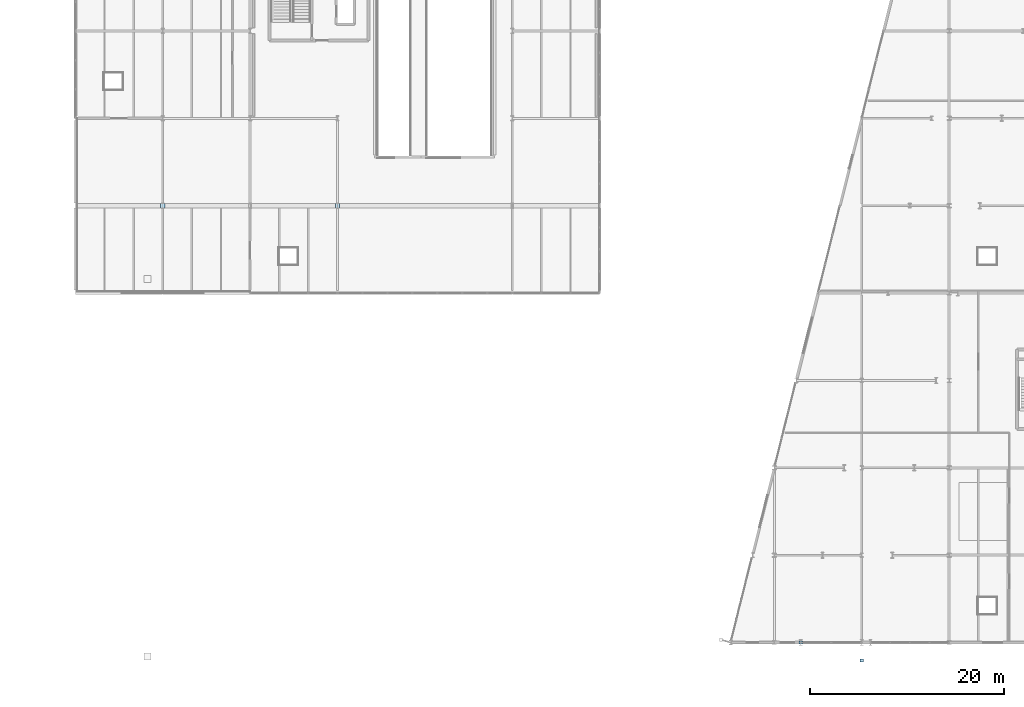
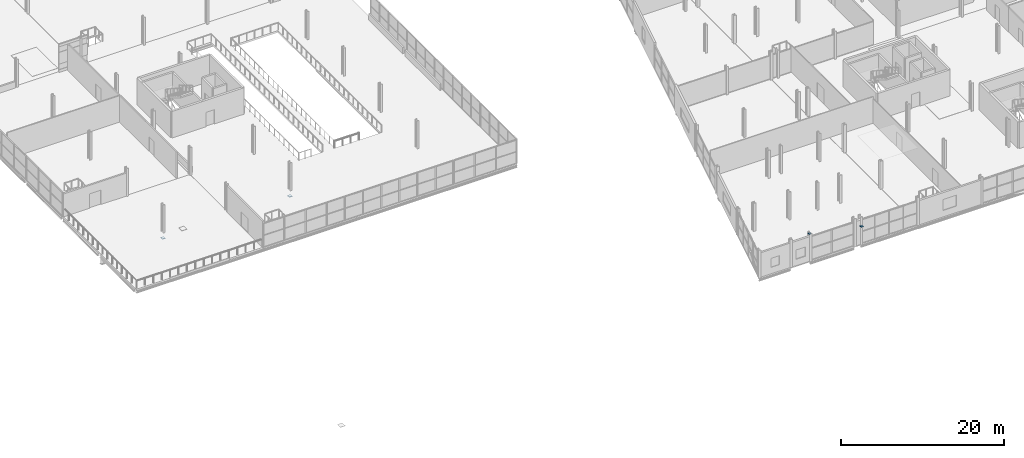
# One storey, part 68 of 88: 4 plates.
"""IFC4 building model written with IfcOpenShell, lengths in metres."""

from ifc_helpers import new_model, si_unit, direction, frame, origin, origin_2d, place, context, subcontext, project, spatial, rectangle, extrude, material, layer, layer_set, type_object, element, save


model = new_model("IFC4")

# Units and contexts
model_context = context("Model", 3, precision=1e-05, world=origin(), true_north=direction((0.0, 1.0)))
body_context = subcontext(model_context, "Body", "Model", "MODEL_VIEW")
ifc_project = project(units=[si_unit("LENGTHUNIT", "METRE"), si_unit("AREAUNIT", "SQUARE_METRE"), si_unit("VOLUMEUNIT", "CUBIC_METRE"), si_unit("PLANEANGLEUNIT", "RADIAN"), si_unit("MASSUNIT", "GRAM", prefix="KILO")], contexts=[model_context])

# Site, building, storey
site_placement = place(None, origin())
site = spatial("IfcSite", under=ifc_project, at=site_placement, CompositionType="ELEMENT")
building_placement = place(site_placement, origin())
building = spatial("IfcBuilding", under=site, at=building_placement, Name="Deido Ridge Mobility Hub", CompositionType="ELEMENT")
storey_placement = place(building_placement, frame((0.0, 0.0, 16.800048828125)))
storey = spatial("IfcBuildingStorey", under=building, at=storey_placement, Name="L04", CompositionType="ELEMENT", Elevation=16.800048828125)

# Plates
ifc_material = material(Name="Steel S355J2 EN 10025-2", Category="steel")
ifc_layer_1 = layer(ifc_material, 0.02197265625, Name="Steel S355J2 EN 10025-2")
ifc_layer_set_1 = layer_set([ifc_layer_1], Name="Steel S355J2 EN 10025-2")
plate_type_1 = type_object("IfcPlateType", Name="PLT-CAP-22", PredefinedType="USERDEFINED", material=ifc_layer_set_1)
for number, where, z_axis, x_axis, name in (
    (1, (135.0, -1.85009765625, 4.0390625), (0.0, 0.0, 1.0), (1.0, 0.0, 0.0), "Diagrid node cap plate EC2 147"),
    (2, (128.699951171875, 0.0, 4.0390625), (0.0, 0.0, 1.0), (1.0, 0.0, 0.0), "Diagrid node cap plate EC2 164"),
):
    element("IfcPlate", number, at=place(storey_placement, frame(where, z_axis=z_axis, x_axis=x_axis)), inside=storey, type_object=plate_type_1, Name=name, ObjectType="END CAP PLATE", PredefinedType="USERDEFINED", context=body_context, shape_type="SweptSolid", body=[
        extrude(rectangle(XDim=0.340087890625, YDim=0.340087890625, at=origin_2d()), origin(), (0.0, 0.0, 1.0), 0.02197265625),
    ])
ifc_layer_2 = layer(ifc_material, 0.01806640625, Name="Steel S355J2 EN 10025-2")
ifc_layer_set_2 = layer_set([ifc_layer_2], Name="Steel S355J2 EN 10025-2")
plate_type_2 = type_object("IfcPlateType", Name="PLT-SHT-18", PredefinedType="SHEET", material=ifc_layer_set_2)
plate_1_placement = place(storey_placement, frame((63.0, 45.0, -0.9091796875), z_axis=(0.0, 0.0, 1.0), x_axis=(1.0, 0.0, 0.0)))
element("IfcPlate", 3, at=plate_1_placement, inside=storey, type_object=plate_type_2, Name="Transfer girder web stiffener plate 7", PredefinedType="SHEET", context=body_context, shape_type="SweptSolid", body=[
    extrude(rectangle(XDim=0.449951171875, YDim=0.449951171875, at=origin_2d()), origin(), (0.0, 0.0, 1.0), 0.01806640625),
])
ifc_layer_3 = layer(ifc_material, 0.035888671875, Name="Steel S355J2 EN 10025-2")
ifc_layer_set_3 = layer_set([ifc_layer_3], Name="Steel S355J2 EN 10025-2")
plate_type_3 = type_object("IfcPlateType", Name="PLT-SHT-36", PredefinedType="SHEET", material=ifc_layer_set_3)
plate_2_placement = place(storey_placement, frame((81.0, 45.0, -0.91796875), z_axis=(0.0, 0.0, 1.0), x_axis=(1.0, 0.0, 0.0)))
element("IfcPlate", 4, at=plate_2_placement, inside=storey, type_object=plate_type_3, Name="Transfer girder web stiffener plate 8", PredefinedType="SHEET", context=body_context, shape_type="SweptSolid", body=[
    extrude(rectangle(XDim=0.449951171875, YDim=0.449951171875, at=origin_2d()), origin(), (0.0, 0.0, 1.0), 0.035888671875),
])

save(model, "model.ifc")
